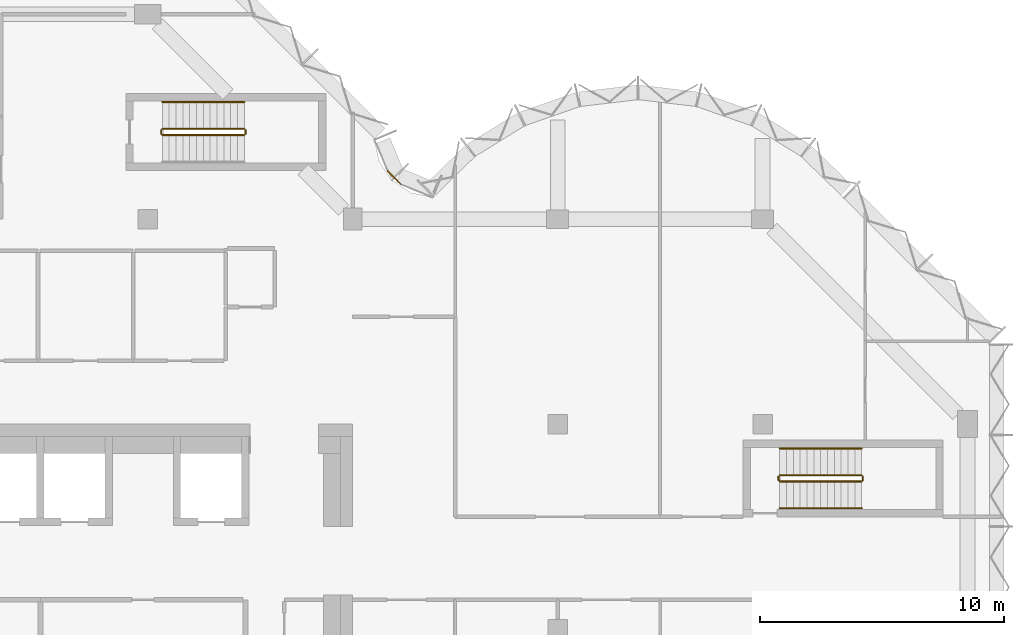
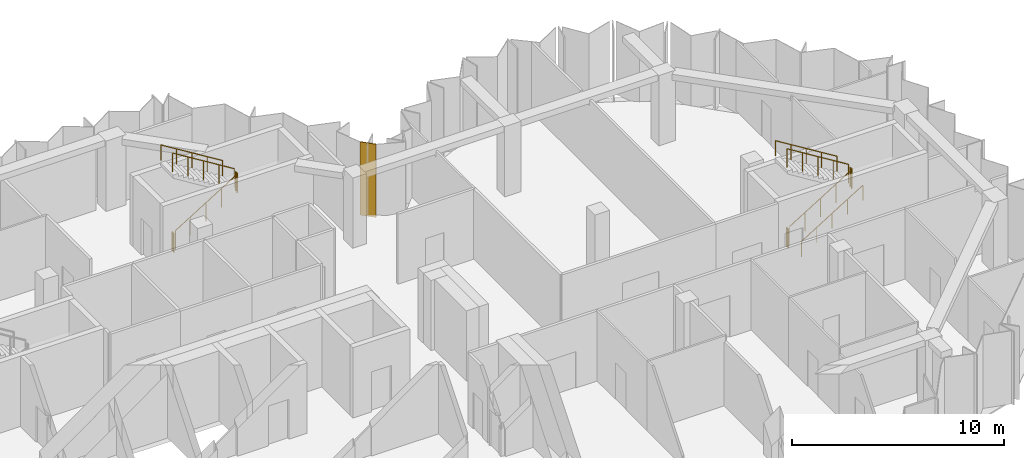
# One storey, part 10 of 10: 11 railings, 1 covering, 1 element without a shape of its own.
"""IFC4 building model written with IfcOpenShell, lengths in metres."""

from ifc_helpers import new_model, si_unit, direction, frame, origin, origin_2d, place, context, subcontext, project, spatial, polyline, circle, outline, extrude, material, layer, layer_set, type_object, element, aggregate, save


model = new_model("IFC4")

# Units and contexts
model_context = context("Model", 3, precision=1e-05, world=origin(), true_north=direction((0.0, 1.0)))
body_context = subcontext(model_context, "Body", "Model", "MODEL_VIEW")
ifc_project = project(units=[si_unit("LENGTHUNIT", "METRE"), si_unit("AREAUNIT", "SQUARE_METRE"), si_unit("VOLUMEUNIT", "CUBIC_METRE"), si_unit("PLANEANGLEUNIT", "RADIAN"), si_unit("MASSUNIT", "GRAM", prefix="KILO")], contexts=[model_context])

# Site, building, storey
site_placement = place(None, origin())
site = spatial("IfcSite", under=ifc_project, at=site_placement, CompositionType="ELEMENT")
building_placement = place(site_placement, origin())
building = spatial("IfcBuilding", under=site, at=building_placement, Name="Brevane Broadcast Tower", CompositionType="ELEMENT")
storey_placement = place(building_placement, frame((0.0, 0.0, 251.699951171875)))
storey = spatial("IfcBuildingStorey", under=building, at=storey_placement, Name="L64", CompositionType="ELEMENT", Elevation=251.699951171875)

# Railings
ifc_material_1 = material(Name="Steel S355", Category="steel")
railing_type_1 = type_object("IfcRailingType", Name="Exit stair guard", PredefinedType="GUARDRAIL", material=ifc_material_1)
railing_1_placement = place(storey_placement, frame((17.39990234375, 28.64990234375, 0.173095703125)))
element("IfcRailing", 1, at=railing_1_placement, inside=storey, type_object=railing_type_1, Name="L64 ST-3 stair guard 1", PredefinedType="GUARDRAIL", context=body_context, shape_type="SweptSolid", body=[
    extrude(circle(Radius=0.02392578125, at=origin_2d()), frame((0.0, 0.0, 1.076171875), z_axis=(0.850623216509, 0.0, 0.525775754039), x_axis=(0.0, 1.0, 0.0)), (0.0, 0.0, 1.0), 3.9501953125),
    extrude(circle(Radius=0.02099609375, at=origin_2d()), origin(), (0.0, 0.0, 1.0), 1.052001953125),
    extrude(circle(Radius=0.02099609375, at=origin_2d()), frame((0.840087890625, 0.0, 0.519287109375)), (0.0, 0.0, 1.0), 1.052001953125),
    extrude(circle(Radius=0.02099609375, at=origin_2d()), frame((1.68017578125, 0.0, 1.03857421875)), (0.0, 0.0, 1.0), 1.052001953125),
    extrude(circle(Radius=0.02099609375, at=origin_2d()), frame((2.52001953125, 0.0, 1.5576171875)), (0.0, 0.0, 1.0), 1.052001953125),
    extrude(circle(Radius=0.02099609375, at=origin_2d()), frame((3.360107421875, 0.0, 2.076904296875)), (0.0, 0.0, 1.0), 1.052001953125),
])
railing_2_placement = place(storey_placement, frame((20.81005859375, 28.699951171875, 2.25)))
element("IfcRailing", 2, at=railing_2_placement, inside=storey, type_object=railing_type_1, Name="L64 ST-3 stair guard 2", PredefinedType="GUARDRAIL", context=body_context, shape_type="SweptSolid", body=[
    extrude(circle(Radius=0.02392578125, at=origin_2d()), frame((0.0, 0.0, 1.076171875), z_axis=(0.0, 1.0, 0.0), x_axis=(-1.0, 0.0, 0.0)), (0.0, 0.0, 1.0), 0.150146484375),
    extrude(circle(Radius=0.02099609375, at=origin_2d()), origin(), (0.0, 0.0, 1.0), 1.052001953125),
    extrude(circle(Radius=0.02099609375, at=origin_2d()), frame((0.0, 0.150146484375, 0.0)), (0.0, 0.0, 1.0), 1.052001953125),
])
railing_3_placement = place(storey_placement, frame((20.760009765625, 28.89990234375, 2.423095703125)))
element("IfcRailing", 3, at=railing_3_placement, inside=storey, type_object=railing_type_1, Name="L64 ST-3 stair guard 3", PredefinedType="GUARDRAIL", context=body_context, shape_type="SweptSolid", body=[
    extrude(circle(Radius=0.02392578125, at=origin_2d()), frame((0.0, 0.0, 1.076171875), z_axis=(-0.850623216509, 0.0, 0.525775754039), x_axis=(0.0, -1.0, 0.0)), (0.0, 0.0, 1.0), 3.9501953125),
    extrude(circle(Radius=0.02099609375, at=origin_2d()), origin(), (0.0, 0.0, 1.0), 1.052001953125),
    extrude(circle(Radius=0.02099609375, at=origin_2d()), frame((-0.840087890625, 0.0, 0.519287109375)), (0.0, 0.0, 1.0), 1.052001953125),
    extrude(circle(Radius=0.02099609375, at=origin_2d()), frame((-1.68017578125, 0.0, 1.03857421875)), (0.0, 0.0, 1.0), 1.052001953125),
    extrude(circle(Radius=0.02099609375, at=origin_2d()), frame((-2.52001953125, 0.0, 1.5576171875)), (0.0, 0.0, 1.0), 1.052001953125),
    extrude(circle(Radius=0.02099609375, at=origin_2d()), frame((-3.360107421875, 0.0, 2.076904296875)), (0.0, 0.0, 1.0), 1.052001953125),
])
railing_4_placement = place(storey_placement, frame((17.35009765625, 28.699951171875, 0.0)))
element("IfcRailing", 4, at=railing_4_placement, inside=storey, type_object=railing_type_1, Name="L64 ST-3 stair guard 4", PredefinedType="GUARDRAIL", context=body_context, shape_type="SweptSolid", body=[
    extrude(circle(Radius=0.02392578125, at=origin_2d()), frame((0.0, 0.0, 1.076171875), z_axis=(0.0, 1.0, 0.0), x_axis=(-1.0, 0.0, 0.0)), (0.0, 0.0, 1.0), 0.150146484375),
    extrude(circle(Radius=0.02099609375, at=origin_2d()), origin(), (0.0, 0.0, 1.0), 1.052001953125),
    extrude(circle(Radius=0.02099609375, at=origin_2d()), frame((0.0, 0.150146484375, 0.0)), (0.0, 0.0, 1.0), 1.052001953125),
])
railing_5_placement = place(storey_placement, frame((42.699951171875, 14.449951171875, 0.173095703125)))
element("IfcRailing", 5, at=railing_5_placement, inside=storey, type_object=railing_type_1, Name="L64 ST-4 stair guard 1", PredefinedType="GUARDRAIL", context=body_context, shape_type="SweptSolid", body=[
    extrude(circle(Radius=0.02392578125, at=origin_2d()), frame((0.0, 0.0, 1.076171875), z_axis=(0.850623216509, 0.0, 0.525775754039), x_axis=(0.0, 1.0, 0.0)), (0.0, 0.0, 1.0), 3.9501953125),
    extrude(circle(Radius=0.02099609375, at=origin_2d()), origin(), (0.0, 0.0, 1.0), 1.052001953125),
    extrude(circle(Radius=0.02099609375, at=origin_2d()), frame((0.840087890625, 0.0, 0.519287109375)), (0.0, 0.0, 1.0), 1.052001953125),
    extrude(circle(Radius=0.02099609375, at=origin_2d()), frame((1.68017578125, 0.0, 1.03857421875)), (0.0, 0.0, 1.0), 1.052001953125),
    extrude(circle(Radius=0.02099609375, at=origin_2d()), frame((2.52001953125, 0.0, 1.5576171875)), (0.0, 0.0, 1.0), 1.052001953125),
    extrude(circle(Radius=0.02099609375, at=origin_2d()), frame((3.360107421875, 0.0, 2.076904296875)), (0.0, 0.0, 1.0), 1.052001953125),
])
railing_6_placement = place(storey_placement, frame((46.110107421875, 14.5, 2.25)))
element("IfcRailing", 6, at=railing_6_placement, inside=storey, type_object=railing_type_1, Name="L64 ST-4 stair guard 2", PredefinedType="GUARDRAIL", context=body_context, shape_type="SweptSolid", body=[
    extrude(circle(Radius=0.02392578125, at=origin_2d()), frame((0.0, 0.0, 1.076171875), z_axis=(0.0, 1.0, 0.0), x_axis=(-1.0, 0.0, 0.0)), (0.0, 0.0, 1.0), 0.14990234375),
    extrude(circle(Radius=0.02099609375, at=origin_2d()), origin(), (0.0, 0.0, 1.0), 1.052001953125),
    extrude(circle(Radius=0.02099609375, at=origin_2d()), frame((0.0, 0.14990234375, 0.0)), (0.0, 0.0, 1.0), 1.052001953125),
])
railing_7_placement = place(storey_placement, frame((46.06005859375, 14.699951171875, 2.423095703125)))
element("IfcRailing", 7, at=railing_7_placement, inside=storey, type_object=railing_type_1, Name="L64 ST-4 stair guard 3", PredefinedType="GUARDRAIL", context=body_context, shape_type="SweptSolid", body=[
    extrude(circle(Radius=0.02392578125, at=origin_2d()), frame((0.0, 0.0, 1.076171875), z_axis=(-0.850623216509, 0.0, 0.525775754039), x_axis=(0.0, -1.0, 0.0)), (0.0, 0.0, 1.0), 3.9501953125),
    extrude(circle(Radius=0.02099609375, at=origin_2d()), origin(), (0.0, 0.0, 1.0), 1.052001953125),
    extrude(circle(Radius=0.02099609375, at=origin_2d()), frame((-0.840087890625, 0.0, 0.519287109375)), (0.0, 0.0, 1.0), 1.052001953125),
    extrude(circle(Radius=0.02099609375, at=origin_2d()), frame((-1.68017578125, 0.0, 1.03857421875)), (0.0, 0.0, 1.0), 1.052001953125),
    extrude(circle(Radius=0.02099609375, at=origin_2d()), frame((-2.52001953125, 0.0, 1.5576171875)), (0.0, 0.0, 1.0), 1.052001953125),
    extrude(circle(Radius=0.02099609375, at=origin_2d()), frame((-3.360107421875, 0.0, 2.076904296875)), (0.0, 0.0, 1.0), 1.052001953125),
])
railing_8_placement = place(storey_placement, frame((42.64990234375, 14.5, 0.0)))
element("IfcRailing", 8, at=railing_8_placement, inside=storey, type_object=railing_type_1, Name="L64 ST-4 stair guard 4", PredefinedType="GUARDRAIL", context=body_context, shape_type="SweptSolid", body=[
    extrude(circle(Radius=0.02392578125, at=origin_2d()), frame((0.0, 0.0, 1.076171875), z_axis=(0.0, 1.0, 0.0), x_axis=(-1.0, 0.0, 0.0)), (0.0, 0.0, 1.0), 0.14990234375),
    extrude(circle(Radius=0.02099609375, at=origin_2d()), origin(), (0.0, 0.0, 1.0), 1.052001953125),
    extrude(circle(Radius=0.02099609375, at=origin_2d()), frame((0.0, 0.14990234375, 0.0)), (0.0, 0.0, 1.0), 1.052001953125),
])
railing_type_2 = type_object("IfcRailingType", Name="Exit stair handrail", PredefinedType="HANDRAIL", material=ifc_material_1)
railing_9_placement = place(storey_placement, frame((20.760009765625, 30.0, 2.423095703125)))
element("IfcRailing", 9, at=railing_9_placement, inside=storey, type_object=railing_type_2, Name="L64 ST-3 stair handrail 2", PredefinedType="HANDRAIL", context=body_context, shape_type="SweptSolid", body=[
    extrude(circle(Radius=0.02392578125, at=origin_2d()), frame((0.0, 0.0, 0.8759765625), z_axis=(-0.850623216509, 0.0, 0.525775754039), x_axis=(0.0, -1.0, 0.0)), (0.0, 0.0, 1.0), 3.9501953125),
    extrude(circle(Radius=0.02099609375, at=origin_2d()), origin(), (0.0, 0.0, 1.0), 0.851806640625),
    extrude(circle(Radius=0.02099609375, at=origin_2d()), frame((-0.840087890625, 0.0, 0.519287109375)), (0.0, 0.0, 1.0), 0.851806640625),
    extrude(circle(Radius=0.02099609375, at=origin_2d()), frame((-1.68017578125, 0.0, 1.03857421875)), (0.0, 0.0, 1.0), 0.851806640625),
    extrude(circle(Radius=0.02099609375, at=origin_2d()), frame((-2.52001953125, 0.0, 1.5576171875)), (0.0, 0.0, 1.0), 0.851806640625),
    extrude(circle(Radius=0.02099609375, at=origin_2d()), frame((-3.360107421875, 0.0, 2.076904296875)), (0.0, 0.0, 1.0), 0.851806640625),
])
railing_10_placement = place(storey_placement, frame((42.699951171875, 13.35009765625, 0.173095703125)))
element("IfcRailing", 10, at=railing_10_placement, inside=storey, type_object=railing_type_2, Name="L64 ST-4 stair handrail 1", PredefinedType="HANDRAIL", context=body_context, shape_type="SweptSolid", body=[
    extrude(circle(Radius=0.02392578125, at=origin_2d()), frame((0.0, 0.0, 0.8759765625), z_axis=(0.850623216509, 0.0, 0.525775754039), x_axis=(0.0, 1.0, 0.0)), (0.0, 0.0, 1.0), 3.9501953125),
    extrude(circle(Radius=0.02099609375, at=origin_2d()), origin(), (0.0, 0.0, 1.0), 0.851806640625),
    extrude(circle(Radius=0.02099609375, at=origin_2d()), frame((0.840087890625, 0.0, 0.519287109375)), (0.0, 0.0, 1.0), 0.851806640625),
    extrude(circle(Radius=0.02099609375, at=origin_2d()), frame((1.68017578125, 0.0, 1.03857421875)), (0.0, 0.0, 1.0), 0.851806640625),
    extrude(circle(Radius=0.02099609375, at=origin_2d()), frame((2.52001953125, 0.0, 1.5576171875)), (0.0, 0.0, 1.0), 0.851806640625),
    extrude(circle(Radius=0.02099609375, at=origin_2d()), frame((3.360107421875, 0.0, 2.076904296875)), (0.0, 0.0, 1.0), 0.851806640625),
])
railing_11_placement = place(storey_placement, frame((46.06005859375, 15.800048828125, 2.423095703125)))
element("IfcRailing", 11, at=railing_11_placement, inside=storey, type_object=railing_type_2, Name="L64 ST-4 stair handrail 2", PredefinedType="HANDRAIL", context=body_context, shape_type="SweptSolid", body=[
    extrude(circle(Radius=0.02392578125, at=origin_2d()), frame((0.0, 0.0, 0.8759765625), z_axis=(-0.850623216509, 0.0, 0.525775754039), x_axis=(0.0, -1.0, 0.0)), (0.0, 0.0, 1.0), 3.9501953125),
    extrude(circle(Radius=0.02099609375, at=origin_2d()), origin(), (0.0, 0.0, 1.0), 0.851806640625),
    extrude(circle(Radius=0.02099609375, at=origin_2d()), frame((-0.840087890625, 0.0, 0.519287109375)), (0.0, 0.0, 1.0), 0.851806640625),
    extrude(circle(Radius=0.02099609375, at=origin_2d()), frame((-1.68017578125, 0.0, 1.03857421875)), (0.0, 0.0, 1.0), 0.851806640625),
    extrude(circle(Radius=0.02099609375, at=origin_2d()), frame((-2.52001953125, 0.0, 1.5576171875)), (0.0, 0.0, 1.0), 0.851806640625),
    extrude(circle(Radius=0.02099609375, at=origin_2d()), frame((-3.360107421875, 0.0, 2.076904296875)), (0.0, 0.0, 1.0), 0.851806640625),
])

# Curtain wall, covering
ifc_material_2 = material(Name="Aluminium 6063-T6 bronze anodised", Category="aluminium")
curtain_wall_type = type_object("IfcCurtainWallType", Name="CW-5 curtain wall", PredefinedType="NOTDEFINED", material=ifc_material_2)
curtain_wall_placement = place(storey_placement, origin())
curtain_wall = element("IfcCurtainWall", 12, at=curtain_wall_placement, inside=storey, type_object=curtain_wall_type, Name="CW-5 crown glazing unit L64 inner corner", PredefinedType="NOTDEFINED")
ifc_material_3 = material(Name="Back-painted bronze glass shadow-box", Category="glass")
ifc_layer = layer(ifc_material_3, 0.0400390625)
ifc_layer_set = layer_set([ifc_layer], Name="Shadow-box panel 40")
covering_type = type_object("IfcCoveringType", Name="Shadow-box panel 40", PredefinedType="CLADDING", material=ifc_layer_set)
covering_placement = place(storey_placement, frame((0.0, 0.0, -0.169921875)))
covering = element("IfcCovering", 13, at=covering_placement, type_object=covering_type, Name="Closure panel", PredefinedType="CLADDING", context=body_context, shape_type="SweptSolid", body=[
    extrude(outline(polyline([(27.16650390625, 26.60693359375), (27.197021484375, 26.6376953125), (26.6376953125, 27.197021484375), (26.60693359375, 27.16650390625), (27.16650390625, 26.60693359375)])), origin(), (0.0, 0.0, 1.0), 4.219970703125),
])
aggregate(curtain_wall, [covering])

save(model, "model.ifc")
